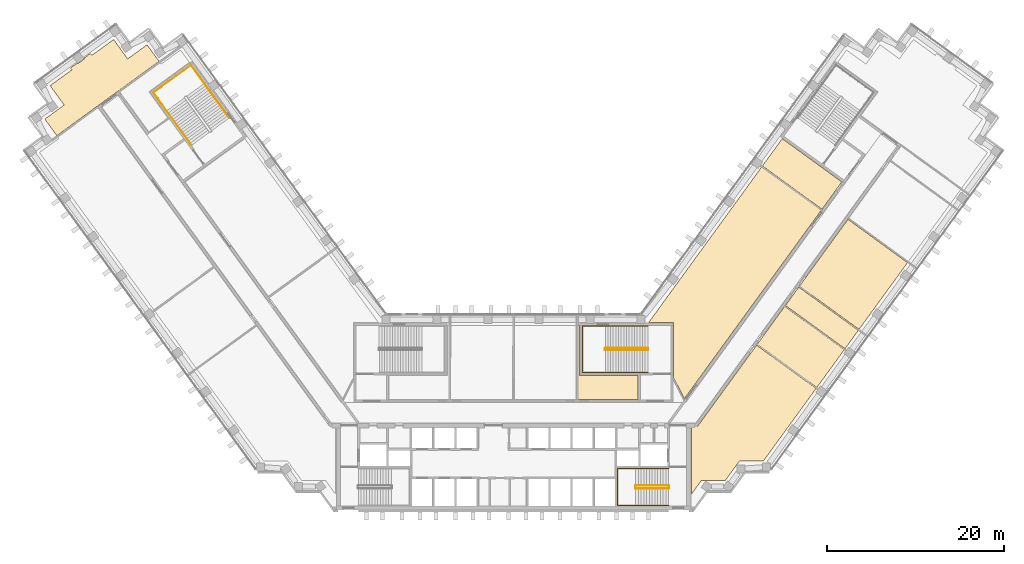
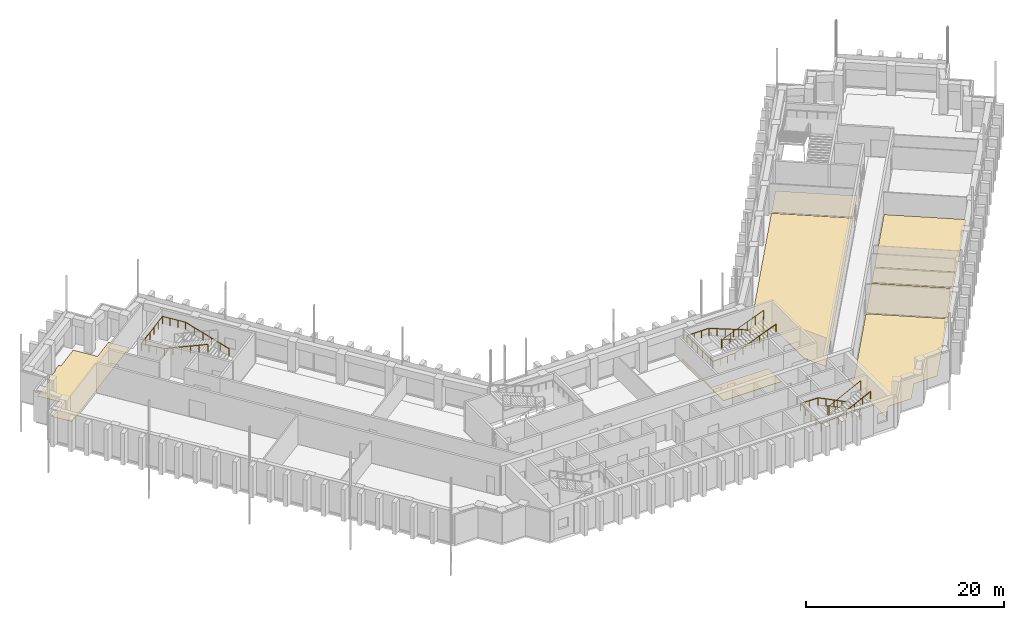
# One storey, part 17 of 18: 8 coverings, 5 railings.
"""IFC4 building model written with IfcOpenShell, lengths in metres."""

from ifc_helpers import new_model, si_unit, direction, frame, origin, origin_2d, place, context, subcontext, project, spatial, polyline, circle, outline, extrude, material, layer, layer_set, type_object, element, save


model = new_model("IFC4")

# Units and contexts
model_context = context("Model", 3, precision=1e-05, world=origin(), true_north=direction((0.0, 1.0)))
body_context = subcontext(model_context, "Body", "Model", "MODEL_VIEW")
ifc_project = project(units=[si_unit("LENGTHUNIT", "METRE"), si_unit("AREAUNIT", "SQUARE_METRE"), si_unit("VOLUMEUNIT", "CUBIC_METRE"), si_unit("PLANEANGLEUNIT", "RADIAN"), si_unit("MASSUNIT", "GRAM", prefix="KILO")], contexts=[model_context])

# Site, building, storey
site_placement = place(None, origin())
site = spatial("IfcSite", under=ifc_project, at=site_placement, CompositionType="ELEMENT")
building_placement = place(site_placement, origin())
building = spatial("IfcBuilding", under=site, at=building_placement, Name="Quipu Civic Tower", CompositionType="ELEMENT")
storey_placement = place(building_placement, frame((0.0, 0.0, 71.0)))
storey = spatial("IfcBuildingStorey", under=building, at=storey_placement, Name="L16", CompositionType="ELEMENT", Elevation=71.0)

# Coverings
ifc_material_1 = material(Name="Carpet tile on raised access floor")
ifc_layer_1 = layer(ifc_material_1, 0.02001953125)
ifc_layer_set_1 = layer_set([ifc_layer_1], Name="Carpet tile on raised access floor")
covering_type_1 = type_object("IfcCoveringType", Name="Carpet tile floor finish 20", PredefinedType="FLOORING", material=ifc_layer_set_1)
covering_1_placement = place(storey_placement, origin())
element("IfcCovering", 1, at=covering_1_placement, inside=storey, type_object=covering_type_1, Name="Carpet tile floor finish 20", PredefinedType="FLOORING", context=body_context, shape_type="SweptSolid", body=[
    extrude(outline(polyline([(27.4990234375, 7.73388671875), (30.590087890625, 11.989990234375), (37.31298828125, 7.10595703125), (34.221923828125, 2.85107421875), (27.4990234375, 7.73388671875)])), origin(), (0.0, 0.0, 1.0), 0.02001953125),
])
covering_2_placement = place(storey_placement, origin())
element("IfcCovering", 2, at=covering_2_placement, inside=storey, type_object=covering_type_1, Name="Carpet tile floor finish 20", PredefinedType="FLOORING", context=body_context, shape_type="SweptSolid", body=[
    extrude(outline(polyline([(15.238037109375, 10.169921875), (27.99609375, 27.72998046875), (34.719970703125, 22.845947265625), (19.27197265625, 1.583984375), (18.070068359375, 3.94189453125), (18.070068359375, 10.1689453125), (15.238037109375, 10.169921875)])), origin(), (0.0, 0.0, 1.0), 0.02001953125),
])
covering_3_placement = place(storey_placement, origin())
element("IfcCovering", 3, at=covering_3_placement, inside=storey, type_object=covering_type_1, Name="Carpet tile floor finish 20", PredefinedType="FLOORING", context=body_context, shape_type="SweptSolid", body=[
    extrude(outline(polyline([(-52.883056640625, 33.12890625), (-50.698974609375, 34.717041015625), (-52.284912109375, 36.90087890625), (-49.826904296875, 38.68603515625), (-49.97900390625, 38.89697265625), (-49.259033203125, 39.4208984375), (-49.236083984375, 39.388916015625), (-49.23291015625, 39.385009765625), (-49.22900390625, 39.382080078125), (-49.22607421875, 39.3779296875), (-49.220947265625, 39.3759765625), (-49.217041015625, 39.373046875), (-49.212890625, 39.37109375), (-49.2080078125, 39.3701171875), (-49.202880859375, 39.368896484375), (-49.197998046875, 39.367919921875), (-49.193115234375, 39.367919921875), (-49.18896484375, 39.368896484375), (-49.18408203125, 39.3701171875), (-49.178955078125, 39.37109375), (-49.174072265625, 39.373046875), (-49.169921875, 39.375), (-49.166015625, 39.3779296875), (-48.43798828125, 39.906982421875), (-48.43408203125, 39.909912109375), (-48.430908203125, 39.9130859375), (-48.427001953125, 39.9169921875), (-48.425048828125, 39.9208984375), (-48.422119140625, 39.926025390625), (-48.419921875, 39.929931640625), (-48.4189453125, 39.93505859375), (-48.41796875, 39.93994140625), (-48.4169921875, 39.944091796875), (-48.4169921875, 39.948974609375), (-48.41796875, 39.9541015625), (-48.4189453125, 39.958984375), (-48.419921875, 39.964111328125), (-48.422119140625, 39.968017578125), (-48.424072265625, 39.972900390625), (-48.427001953125, 39.97705078125), (-48.449951171875, 40.008056640625), (-47.72900390625, 40.531982421875), (-47.574951171875, 40.322021484375), (-45.116943359375, 42.10791015625), (-43.531982421875, 39.925048828125), (-41.346923828125, 41.510986328125), (-39.989013671875, 39.64208984375), (-51.52587890625, 31.260009765625), (-52.883056640625, 33.12890625)])), origin(), (0.0, 0.0, 1.0), 0.02001953125),
])
covering_4_placement = place(storey_placement, origin())
element("IfcCovering", 4, at=covering_4_placement, inside=storey, type_object=covering_type_1, Name="Carpet tile floor finish 20", PredefinedType="FLOORING", context=body_context, shape_type="SweptSolid", body=[
    extrude(outline(polyline([(20.070068359375, -9.195068359375), (20.070068359375, -1.52001953125), (20.77490234375, -1.51904296875), (27.416015625, 7.62109375), (34.138916015625, 2.738037109375), (28.181884765625, -5.4609375), (25.48193359375, -5.4619140625), (25.2080078125, -5.840087890625), (25.205078125, -5.841064453125), (25.200927734375, -5.843017578125), (25.197021484375, -5.844970703125), (25.193115234375, -5.847900390625), (25.18896484375, -5.85205078125), (25.18603515625, -5.85498046875), (25.18310546875, -5.85888671875), (25.179931640625, -5.863037109375), (25.177978515625, -5.867919921875), (25.177001953125, -5.8720703125), (25.175048828125, -5.876953125), (25.175048828125, -5.882080078125), (25.174072265625, -5.885986328125), (23.89501953125, -7.64599609375), (21.721923828125, -7.64599609375), (21.721923828125, -7.64599609375), (21.718017578125, -7.64306640625), (21.712890625, -7.64111328125), (21.708984375, -7.638916015625), (21.7041015625, -7.637939453125), (21.698974609375, -7.636962890625), (21.694091796875, -7.635986328125), (21.68896484375, -7.636962890625), (21.68408203125, -7.636962890625), (21.679931640625, -7.637939453125), (21.675048828125, -7.639892578125), (21.669921875, -7.64111328125), (21.666015625, -7.64404296875), (21.6630859375, -7.64599609375), (21.196044921875, -7.64599609375), (20.070068359375, -9.195068359375)])), origin(), (0.0, 0.0, 1.0), 0.02001953125),
])
ifc_material_2 = material(Name="Ceramic floor tile")
ifc_layer_2 = layer(ifc_material_2, 0.030029296875)
ifc_layer_set_2 = layer_set([ifc_layer_2], Name="Ceramic floor tile")
covering_type_2 = type_object("IfcCoveringType", Name="Ceramic tile floor finish 30", PredefinedType="FLOORING", material=ifc_layer_set_2)
covering_5_placement = place(storey_placement, origin())
element("IfcCovering", 5, at=covering_5_placement, inside=storey, type_object=covering_type_2, Name="Ceramic tile floor finish 30", PredefinedType="FLOORING", context=body_context, shape_type="SweptSolid", body=[
    extrude(outline(polyline([(32.260009765625, 14.287109375), (37.73095703125, 21.820068359375), (44.455078125, 16.93603515625), (38.98291015625, 9.404052734375), (32.260009765625, 14.287109375)])), origin(), (0.0, 0.0, 1.0), 0.030029296875),
])
covering_6_placement = place(storey_placement, origin())
element("IfcCovering", 6, at=covering_6_placement, inside=storey, type_object=covering_type_2, Name="Ceramic tile floor finish 30", PredefinedType="FLOORING", context=body_context, shape_type="SweptSolid", body=[
    extrude(outline(polyline([(28.0791015625, 27.843017578125), (30.31494140625, 30.922119140625), (37.0380859375, 26.0380859375), (34.802001953125, 22.958984375), (28.0791015625, 27.843017578125)])), origin(), (0.0, 0.0, 1.0), 0.030029296875),
])
covering_7_placement = place(storey_placement, origin())
element("IfcCovering", 7, at=covering_7_placement, inside=storey, type_object=covering_type_2, Name="Ceramic tile floor finish 30", PredefinedType="FLOORING", context=body_context, shape_type="SweptSolid", body=[
    extrude(outline(polyline([(30.673095703125, 12.10302734375), (32.177001953125, 14.174072265625), (38.89990234375, 9.291015625), (37.39599609375, 7.218994140625), (30.673095703125, 12.10302734375)])), origin(), (0.0, 0.0, 1.0), 0.030029296875),
])
ifc_material_3 = material(Name="Sealed cement screed")
ifc_layer_3 = layer(ifc_material_3, 0.050048828125)
ifc_layer_set_3 = layer_set([ifc_layer_3], Name="Sealed cement screed")
covering_type_3 = type_object("IfcCoveringType", Name="Sealed screed floor finish 50", PredefinedType="FLOORING", material=ifc_layer_set_3)
covering_8_placement = place(storey_placement, origin())
element("IfcCovering", 8, at=covering_8_placement, inside=storey, type_object=covering_type_3, Name="Sealed screed floor finish 50", PredefinedType="FLOORING", context=body_context, shape_type="SweptSolid", body=[
    extrude(outline(polyline([(7.26806640625, 1.52001953125), (7.26806640625, 9.830078125), (7.429931640625, 9.830078125), (7.429931640625, 4.180908203125), (14.030029296875, 4.179931640625), (14.030029296875, 1.52001953125), (7.26806640625, 1.52001953125)])), origin(), (0.0, 0.0, 1.0), 0.050048828125),
])

# Railings
ifc_material_4 = material(Name="Stainless steel", Category="steel")
railing_type_1 = type_object("IfcRailingType", Name="Stair guard 1100", PredefinedType="GUARDRAIL", material=ifc_material_4)
railing_1_placement = place(storey_placement, frame((17.5, -8.199951171875, 0.15380859375)))
element("IfcRailing", 9, at=railing_1_placement, inside=storey, type_object=railing_type_1, Name="Stair 2 guard", PredefinedType="GUARDRAIL", context=body_context, shape_type="SweptSolid", body=[
    extrude(circle(Radius=0.02392578125, at=origin_2d()), frame((0.0, 0.0, 1.076171875), z_axis=(-0.895751851347, 0.0, 0.444554407028), x_axis=(0.0, -1.0, 0.0)), (0.0, 0.0, 1.0), 4.15283203125),
    extrude(circle(Radius=0.02392578125, at=origin_2d()), frame((-3.719970703125, 0.0, 2.92236328125), z_axis=(-0.707106781187, -0.707106781187, 0.0), x_axis=(0.707106781187, -0.707106781187, 0.0)), (0.0, 0.0, 1.0), 0.07080078125),
    extrude(circle(Radius=0.02392578125, at=origin_2d()), frame((-3.77001953125, -0.050048828125, 2.92236328125), z_axis=(0.0, -1.0, 0.0), x_axis=(1.0, 0.0, 0.0)), (0.0, 0.0, 1.0), 0.25),
    extrude(circle(Radius=0.02392578125, at=origin_2d()), frame((-3.77001953125, -0.300048828125, 2.92236328125), z_axis=(0.295599637079, -0.295599637079, 0.908428152975), x_axis=(0.707106781187, 0.707106781187, 0.0)), (0.0, 0.0, 1.0), 0.16943359375),
    extrude(circle(Radius=0.02392578125, at=origin_2d()), frame((-3.719970703125, -0.35009765625, 3.076171875), z_axis=(0.895751851347, 0.0, 0.444554407028), x_axis=(0.0, 1.0, 0.0)), (0.0, 0.0, 1.0), 4.15283203125),
    extrude(circle(Radius=0.02392578125, at=origin_2d()), frame((0.0, -0.35009765625, 4.92236328125), z_axis=(0.012476181752, 0.074796231092, -0.997120789425), x_axis=(-0.986372223864, 0.164529134168, 0.0)), (0.0, 0.0, 1.0), 4.011474609375),
    extrude(circle(Radius=0.02392578125, at=origin_2d()), frame((0.050048828125, -0.050048828125, 0.92236328125), z_axis=(0.0, -1.0, 0.0), x_axis=(1.0, 0.0, 0.0)), (0.0, 0.0, 1.0), 0.25),
    extrude(circle(Radius=0.02099609375, at=origin_2d()), origin(), (0.0, 0.0, 1.0), 1.052001953125),
    extrude(circle(Radius=0.02099609375, at=origin_2d()), frame((-0.929931640625, 0.0, 0.46142578125)), (0.0, 0.0, 1.0), 1.052001953125),
    extrude(circle(Radius=0.02099609375, at=origin_2d()), frame((-1.85986328125, 0.0, 0.923095703125)), (0.0, 0.0, 1.0), 1.052001953125),
    extrude(circle(Radius=0.02099609375, at=origin_2d()), frame((-2.7900390625, 0.0, 1.384765625)), (0.0, 0.0, 1.0), 1.052001953125),
    extrude(circle(Radius=0.02099609375, at=origin_2d()), frame((-3.719970703125, 0.0, 1.84619140625)), (0.0, 0.0, 1.0), 1.052001953125),
    extrude(circle(Radius=0.02099609375, at=origin_2d()), frame((-3.77001953125, -0.050048828125, 1.84619140625)), (0.0, 0.0, 1.0), 1.052001953125),
    extrude(circle(Radius=0.02099609375, at=origin_2d()), frame((-3.77001953125, -0.300048828125, 1.84619140625)), (0.0, 0.0, 1.0), 1.052001953125),
    extrude(circle(Radius=0.02099609375, at=origin_2d()), frame((-3.719970703125, -0.35009765625, 2.0)), (0.0, 0.0, 1.0), 1.052001953125),
    extrude(circle(Radius=0.02099609375, at=origin_2d()), frame((-2.7900390625, -0.35009765625, 2.46142578125)), (0.0, 0.0, 1.0), 1.052001953125),
    extrude(circle(Radius=0.02099609375, at=origin_2d()), frame((-1.85986328125, -0.35009765625, 2.923095703125)), (0.0, 0.0, 1.0), 1.052001953125),
    extrude(circle(Radius=0.02099609375, at=origin_2d()), frame((-0.929931640625, -0.35009765625, 3.384765625)), (0.0, 0.0, 1.0), 1.052001953125),
    extrude(circle(Radius=0.02099609375, at=origin_2d()), frame((0.0, -0.35009765625, 3.84619140625)), (0.0, 0.0, 1.0), 1.052001953125),
    extrude(circle(Radius=0.02099609375, at=origin_2d()), frame((0.012451171875, -0.275146484375, 2.84619140625)), (0.0, 0.0, 1.0), 1.052001953125),
    extrude(circle(Radius=0.02099609375, at=origin_2d()), frame((0.02490234375, -0.2001953125, 1.84619140625)), (0.0, 0.0, 1.0), 1.052001953125),
    extrude(circle(Radius=0.02099609375, at=origin_2d()), frame((0.03759765625, -0.125, 0.84619140625)), (0.0, 0.0, 1.0), 1.052001953125),
    extrude(circle(Radius=0.02099609375, at=origin_2d()), frame((0.050048828125, -0.050048828125, -0.15380859375)), (0.0, 0.0, 1.0), 1.052001953125),
    extrude(circle(Radius=0.02099609375, at=origin_2d()), frame((0.050048828125, -0.300048828125, -0.15380859375)), (0.0, 0.0, 1.0), 1.052001953125),
])
railing_2_placement = place(storey_placement, frame((15.14990234375, 7.300048828125, 0.11767578125)))
element("IfcRailing", 10, at=railing_2_placement, inside=storey, type_object=railing_type_1, Name="Stair 4 guard", PredefinedType="GUARDRAIL", context=body_context, shape_type="SweptSolid", body=[
    extrude(circle(Radius=0.02392578125, at=origin_2d()), frame((0.0, 0.0, 1.076171875), z_axis=(-0.930970042603, 0.0, 0.365095576219), x_axis=(0.0, -1.0, 0.0)), (0.0, 0.0, 1.0), 5.15576171875),
    extrude(circle(Radius=0.02392578125, at=origin_2d()), frame((-4.7998046875, 0.0, 2.95849609375), z_axis=(-0.707106781187, -0.707106781187, 0.0), x_axis=(0.707106781187, -0.707106781187, 0.0)), (0.0, 0.0, 1.0), 0.07080078125),
    extrude(circle(Radius=0.02392578125, at=origin_2d()), frame((-4.849853515625, -0.050048828125, 2.95849609375), z_axis=(0.0, -1.0, 0.0), x_axis=(1.0, 0.0, 0.0)), (0.0, 0.0, 1.0), 0.14990234375),
    extrude(circle(Radius=0.02392578125, at=origin_2d()), frame((-4.849853515625, -0.199951171875, 2.95849609375), z_axis=(0.364463019033, -0.364463019033, 0.856932561824), x_axis=(0.707106781187, 0.707106781187, 0.0)), (0.0, 0.0, 1.0), 0.13720703125),
    extrude(circle(Radius=0.02392578125, at=origin_2d()), frame((-4.7998046875, -0.25, 3.076171875), z_axis=(0.930970042603, 0.0, 0.365095576219), x_axis=(0.0, 1.0, 0.0)), (0.0, 0.0, 1.0), 5.15576171875),
    extrude(circle(Radius=0.02392578125, at=origin_2d()), frame((0.0, -0.25, 4.95849609375), z_axis=(0.012495627992, 0.049921557685, -0.998674970829), x_axis=(-0.970072785993, 0.242814311512, 0.0)), (0.0, 0.0, 1.0), 4.00537109375),
    extrude(circle(Radius=0.02392578125, at=origin_2d()), frame((0.050048828125, -0.050048828125, 0.95849609375), z_axis=(0.0, -1.0, 0.0), x_axis=(1.0, 0.0, 0.0)), (0.0, 0.0, 1.0), 0.14990234375),
    extrude(circle(Radius=0.02099609375, at=origin_2d()), origin(), (0.0, 0.0, 1.0), 1.052001953125),
    extrude(circle(Radius=0.02099609375, at=origin_2d()), frame((-0.9599609375, 0.0, 0.37646484375)), (0.0, 0.0, 1.0), 1.052001953125),
    extrude(circle(Radius=0.02099609375, at=origin_2d()), frame((-1.919921875, 0.0, 0.7529296875)), (0.0, 0.0, 1.0), 1.052001953125),
    extrude(circle(Radius=0.02099609375, at=origin_2d()), frame((-2.8798828125, 0.0, 1.12939453125)), (0.0, 0.0, 1.0), 1.052001953125),
    extrude(circle(Radius=0.02099609375, at=origin_2d()), frame((-3.83984375, 0.0, 1.505859375)), (0.0, 0.0, 1.0), 1.052001953125),
    extrude(circle(Radius=0.02099609375, at=origin_2d()), frame((-4.7998046875, 0.0, 1.88232421875)), (0.0, 0.0, 1.0), 1.052001953125),
    extrude(circle(Radius=0.02099609375, at=origin_2d()), frame((-4.849853515625, -0.050048828125, 1.88232421875)), (0.0, 0.0, 1.0), 1.052001953125),
    extrude(circle(Radius=0.02099609375, at=origin_2d()), frame((-4.849853515625, -0.199951171875, 1.88232421875)), (0.0, 0.0, 1.0), 1.052001953125),
    extrude(circle(Radius=0.02099609375, at=origin_2d()), frame((-4.7998046875, -0.25, 2.0)), (0.0, 0.0, 1.0), 1.052001953125),
    extrude(circle(Radius=0.02099609375, at=origin_2d()), frame((-3.83984375, -0.25, 2.37646484375)), (0.0, 0.0, 1.0), 1.052001953125),
    extrude(circle(Radius=0.02099609375, at=origin_2d()), frame((-2.8798828125, -0.25, 2.7529296875)), (0.0, 0.0, 1.0), 1.052001953125),
    extrude(circle(Radius=0.02099609375, at=origin_2d()), frame((-1.919921875, -0.25, 3.12939453125)), (0.0, 0.0, 1.0), 1.052001953125),
    extrude(circle(Radius=0.02099609375, at=origin_2d()), frame((-0.9599609375, -0.25, 3.505859375)), (0.0, 0.0, 1.0), 1.052001953125),
    extrude(circle(Radius=0.02099609375, at=origin_2d()), frame((0.0, -0.25, 3.88232421875)), (0.0, 0.0, 1.0), 1.052001953125),
    extrude(circle(Radius=0.02099609375, at=origin_2d()), frame((0.012451171875, -0.199951171875, 2.88232421875)), (0.0, 0.0, 1.0), 1.052001953125),
    extrude(circle(Radius=0.02099609375, at=origin_2d()), frame((0.02490234375, -0.14990234375, 1.88232421875)), (0.0, 0.0, 1.0), 1.052001953125),
    extrude(circle(Radius=0.02099609375, at=origin_2d()), frame((0.03759765625, -0.10009765625, 0.88232421875)), (0.0, 0.0, 1.0), 1.052001953125),
    extrude(circle(Radius=0.02099609375, at=origin_2d()), frame((0.050048828125, -0.050048828125, -0.11767578125)), (0.0, 0.0, 1.0), 1.052001953125),
    extrude(circle(Radius=0.02099609375, at=origin_2d()), frame((0.050048828125, -0.199951171875, -0.11767578125)), (0.0, 0.0, 1.0), 1.052001953125),
])
ifc_material_5 = material(Name="Stainless steel", Category="steel")
railing_type_2 = type_object("IfcRailingType", Name="Stair handrail", PredefinedType="HANDRAIL", material=ifc_material_5)
railing_3_placement = place(storey_placement, frame((17.5, -6.300048828125, 0.15380859375)))
element("IfcRailing", 11, at=railing_3_placement, inside=storey, type_object=railing_type_2, Name="Stair 2 handrail", PredefinedType="HANDRAIL", context=body_context, shape_type="SweptSolid", body=[
    extrude(circle(Radius=0.02392578125, at=origin_2d()), frame((0.0, 0.0, 0.8759765625), z_axis=(-0.895751851347, 0.0, 0.444554407028), x_axis=(0.0, -1.0, 0.0)), (0.0, 0.0, 1.0), 4.15283203125),
    extrude(circle(Radius=0.02392578125, at=origin_2d()), frame((-3.719970703125, 0.0, 2.72216796875), z_axis=(-1.0, 0.0, 0.0), x_axis=(0.0, -1.0, 0.0)), (0.0, 0.0, 1.0), 2.030029296875),
    extrude(circle(Radius=0.02392578125, at=origin_2d()), frame((-5.75, 0.0, 2.72216796875), z_axis=(0.0, -1.0, 0.0), x_axis=(1.0, 0.0, 0.0)), (0.0, 0.0, 1.0), 4.14990234375),
    extrude(circle(Radius=0.02392578125, at=origin_2d()), frame((-5.75, -4.14990234375, 2.72216796875), z_axis=(0.997142003663, 0.0, 0.075550145798), x_axis=(0.0, 1.0, 0.0)), (0.0, 0.0, 1.0), 2.035888671875),
    extrude(circle(Radius=0.02392578125, at=origin_2d()), frame((-3.719970703125, -4.14990234375, 2.8759765625), z_axis=(0.895751851347, 0.0, 0.444554407028), x_axis=(0.0, 1.0, 0.0)), (0.0, 0.0, 1.0), 4.15283203125),
    extrude(circle(Radius=0.02099609375, at=origin_2d()), origin(), (0.0, 0.0, 1.0), 0.851806640625),
    extrude(circle(Radius=0.02099609375, at=origin_2d()), frame((-0.929931640625, 0.0, 0.46142578125)), (0.0, 0.0, 1.0), 0.851806640625),
    extrude(circle(Radius=0.02099609375, at=origin_2d()), frame((-1.85986328125, 0.0, 0.923095703125)), (0.0, 0.0, 1.0), 0.851806640625),
    extrude(circle(Radius=0.02099609375, at=origin_2d()), frame((-2.7900390625, 0.0, 1.384765625)), (0.0, 0.0, 1.0), 0.851806640625),
    extrude(circle(Radius=0.02099609375, at=origin_2d()), frame((-3.719970703125, 0.0, 1.84619140625)), (0.0, 0.0, 1.0), 0.851806640625),
    extrude(circle(Radius=0.02099609375, at=origin_2d()), frame((-4.73486328125, 0.0, 1.84619140625)), (0.0, 0.0, 1.0), 0.851806640625),
    extrude(circle(Radius=0.02099609375, at=origin_2d()), frame((-5.75, 0.0, 1.84619140625)), (0.0, 0.0, 1.0), 0.851806640625),
    extrude(circle(Radius=0.02099609375, at=origin_2d()), frame((-5.75, -1.03759765625, 1.84619140625)), (0.0, 0.0, 1.0), 0.851806640625),
    extrude(circle(Radius=0.02099609375, at=origin_2d()), frame((-5.75, -2.074951171875, 1.84619140625)), (0.0, 0.0, 1.0), 0.851806640625),
    extrude(circle(Radius=0.02099609375, at=origin_2d()), frame((-5.75, -3.1123046875, 1.84619140625)), (0.0, 0.0, 1.0), 0.851806640625),
    extrude(circle(Radius=0.02099609375, at=origin_2d()), frame((-5.75, -4.14990234375, 1.84619140625)), (0.0, 0.0, 1.0), 0.851806640625),
    extrude(circle(Radius=0.02099609375, at=origin_2d()), frame((-4.73486328125, -4.14990234375, 1.923095703125)), (0.0, 0.0, 1.0), 0.851806640625),
    extrude(circle(Radius=0.02099609375, at=origin_2d()), frame((-3.719970703125, -4.14990234375, 2.0)), (0.0, 0.0, 1.0), 0.851806640625),
    extrude(circle(Radius=0.02099609375, at=origin_2d()), frame((-2.7900390625, -4.14990234375, 2.46142578125)), (0.0, 0.0, 1.0), 0.851806640625),
    extrude(circle(Radius=0.02099609375, at=origin_2d()), frame((-1.85986328125, -4.14990234375, 2.923095703125)), (0.0, 0.0, 1.0), 0.851806640625),
    extrude(circle(Radius=0.02099609375, at=origin_2d()), frame((-0.929931640625, -4.14990234375, 3.384765625)), (0.0, 0.0, 1.0), 0.851806640625),
    extrude(circle(Radius=0.02099609375, at=origin_2d()), frame((0.0, -4.14990234375, 3.84619140625)), (0.0, 0.0, 1.0), 0.851806640625),
])
railing_4_placement = place(storey_placement, frame((15.14990234375, 9.800048828125, 0.11767578125)))
element("IfcRailing", 12, at=railing_4_placement, inside=storey, type_object=railing_type_2, Name="Stair 4 handrail", PredefinedType="HANDRAIL", context=body_context, shape_type="SweptSolid", body=[
    extrude(circle(Radius=0.02392578125, at=origin_2d()), frame((0.0, 0.0, 0.8759765625), z_axis=(-0.930970042603, 0.0, 0.365095576219), x_axis=(0.0, -1.0, 0.0)), (0.0, 0.0, 1.0), 5.15576171875),
    extrude(circle(Radius=0.02392578125, at=origin_2d()), frame((-4.7998046875, 0.0, 2.75830078125), z_axis=(-1.0, 0.0, 0.0), x_axis=(0.0, -1.0, 0.0)), (0.0, 0.0, 1.0), 2.550048828125),
    extrude(circle(Radius=0.02392578125, at=origin_2d()), frame((-7.349853515625, 0.0, 2.75830078125), z_axis=(0.0, -1.0, 0.0), x_axis=(1.0, 0.0, 0.0)), (0.0, 0.0, 1.0), 5.25),
    extrude(circle(Radius=0.02392578125, at=origin_2d()), frame((-7.349853515625, -5.25, 2.75830078125), z_axis=(0.998936948642, 0.0, 0.04609742549), x_axis=(0.0, 1.0, 0.0)), (0.0, 0.0, 1.0), 2.552734375),
    extrude(circle(Radius=0.02392578125, at=origin_2d()), frame((-4.7998046875, -5.25, 2.8759765625), z_axis=(0.930970042603, 0.0, 0.365095576219), x_axis=(0.0, 1.0, 0.0)), (0.0, 0.0, 1.0), 5.15576171875),
    extrude(circle(Radius=0.02099609375, at=origin_2d()), origin(), (0.0, 0.0, 1.0), 0.851806640625),
    extrude(circle(Radius=0.02099609375, at=origin_2d()), frame((-0.9599609375, 0.0, 0.37646484375)), (0.0, 0.0, 1.0), 0.851806640625),
    extrude(circle(Radius=0.02099609375, at=origin_2d()), frame((-1.919921875, 0.0, 0.7529296875)), (0.0, 0.0, 1.0), 0.851806640625),
    extrude(circle(Radius=0.02099609375, at=origin_2d()), frame((-2.8798828125, 0.0, 1.12939453125)), (0.0, 0.0, 1.0), 0.851806640625),
    extrude(circle(Radius=0.02099609375, at=origin_2d()), frame((-3.83984375, 0.0, 1.505859375)), (0.0, 0.0, 1.0), 0.851806640625),
    extrude(circle(Radius=0.02099609375, at=origin_2d()), frame((-4.7998046875, 0.0, 1.88232421875)), (0.0, 0.0, 1.0), 0.851806640625),
    extrude(circle(Radius=0.02099609375, at=origin_2d()), frame((-5.64990234375, 0.0, 1.88232421875)), (0.0, 0.0, 1.0), 0.851806640625),
    extrude(circle(Radius=0.02099609375, at=origin_2d()), frame((-6.499755859375, 0.0, 1.88232421875)), (0.0, 0.0, 1.0), 0.851806640625),
    extrude(circle(Radius=0.02099609375, at=origin_2d()), frame((-7.349853515625, 0.0, 1.88232421875)), (0.0, 0.0, 1.0), 0.851806640625),
    extrude(circle(Radius=0.02099609375, at=origin_2d()), frame((-7.349853515625, -1.050048828125, 1.88232421875)), (0.0, 0.0, 1.0), 0.851806640625),
    extrude(circle(Radius=0.02099609375, at=origin_2d()), frame((-7.349853515625, -2.10009765625, 1.88232421875)), (0.0, 0.0, 1.0), 0.851806640625),
    extrude(circle(Radius=0.02099609375, at=origin_2d()), frame((-7.349853515625, -3.14990234375, 1.88232421875)), (0.0, 0.0, 1.0), 0.851806640625),
    extrude(circle(Radius=0.02099609375, at=origin_2d()), frame((-7.349853515625, -4.199951171875, 1.88232421875)), (0.0, 0.0, 1.0), 0.851806640625),
    extrude(circle(Radius=0.02099609375, at=origin_2d()), frame((-7.349853515625, -5.25, 1.88232421875)), (0.0, 0.0, 1.0), 0.851806640625),
    extrude(circle(Radius=0.02099609375, at=origin_2d()), frame((-6.499755859375, -5.25, 1.921630859375)), (0.0, 0.0, 1.0), 0.851806640625),
    extrude(circle(Radius=0.02099609375, at=origin_2d()), frame((-5.64990234375, -5.25, 1.960693359375)), (0.0, 0.0, 1.0), 0.851806640625),
    extrude(circle(Radius=0.02099609375, at=origin_2d()), frame((-4.7998046875, -5.25, 2.0)), (0.0, 0.0, 1.0), 0.851806640625),
    extrude(circle(Radius=0.02099609375, at=origin_2d()), frame((-3.83984375, -5.25, 2.37646484375)), (0.0, 0.0, 1.0), 0.851806640625),
    extrude(circle(Radius=0.02099609375, at=origin_2d()), frame((-2.8798828125, -5.25, 2.7529296875)), (0.0, 0.0, 1.0), 0.851806640625),
    extrude(circle(Radius=0.02099609375, at=origin_2d()), frame((-1.919921875, -5.25, 3.12939453125)), (0.0, 0.0, 1.0), 0.851806640625),
    extrude(circle(Radius=0.02099609375, at=origin_2d()), frame((-0.9599609375, -5.25, 3.505859375)), (0.0, 0.0, 1.0), 0.851806640625),
    extrude(circle(Radius=0.02099609375, at=origin_2d()), frame((0.0, -5.25, 3.88232421875)), (0.0, 0.0, 1.0), 0.851806640625),
])
railing_5_placement = place(storey_placement, frame((-32.056396484375, 33.266845703125, 0.11767578125)))
element("IfcRailing", 13, at=railing_5_placement, inside=storey, type_object=railing_type_2, Name="Stair 6 handrail", PredefinedType="HANDRAIL", context=body_context, shape_type="SweptSolid", body=[
    extrude(circle(Radius=0.02392578125, at=origin_2d()), frame((0.0, 0.0, 0.8759765625), z_axis=(-0.54720100349, 0.753182689643, 0.365084781664), x_axis=(-0.809026317077, -0.587772420479, 0.0)), (0.0, 0.0, 1.0), 5.15576171875),
    extrude(circle(Radius=0.02392578125, at=origin_2d()), frame((-2.8212890625, 3.88330078125, 2.75830078125), z_axis=(-0.587767432704, 0.809029940764, 0.0), x_axis=(-0.809029940764, -0.587767432704, 0.0)), (0.0, 0.0, 1.0), 2.550048828125),
    extrude(circle(Radius=0.02392578125, at=origin_2d()), frame((-4.320068359375, 5.9462890625, 2.75830078125), z_axis=(-0.809009483706, -0.587795589702, 0.0), x_axis=(0.587795589702, -0.809009483706, 0.0)), (0.0, 0.0, 1.0), 5.25),
    extrude(circle(Radius=0.02392578125, at=origin_2d()), frame((-8.5673828125, 2.8603515625, 2.75830078125), z_axis=(0.587142558822, -0.808169835812, 0.046099155132), x_axis=(0.809029940764, 0.587767432704, 0.0)), (0.0, 0.0, 1.0), 2.552734375),
    extrude(circle(Radius=0.02392578125, at=origin_2d()), frame((-7.068603515625, 0.79736328125, 2.8759765625), z_axis=(0.54720100349, -0.753182689643, 0.365084781664), x_axis=(0.809026317077, 0.587772420479, 0.0)), (0.0, 0.0, 1.0), 5.15576171875),
    extrude(circle(Radius=0.02099609375, at=origin_2d()), origin(), (0.0, 0.0, 1.0), 0.851806640625),
    extrude(circle(Radius=0.02099609375, at=origin_2d()), frame((-0.564208984375, 0.776611328125, 0.37646484375)), (0.0, 0.0, 1.0), 0.851806640625),
    extrude(circle(Radius=0.02099609375, at=origin_2d()), frame((-1.12841796875, 1.55322265625, 0.7529296875)), (0.0, 0.0, 1.0), 0.851806640625),
    extrude(circle(Radius=0.02099609375, at=origin_2d()), frame((-1.69287109375, 2.330078125, 1.12939453125)), (0.0, 0.0, 1.0), 0.851806640625),
    extrude(circle(Radius=0.02099609375, at=origin_2d()), frame((-2.257080078125, 3.106689453125, 1.505859375)), (0.0, 0.0, 1.0), 0.851806640625),
    extrude(circle(Radius=0.02099609375, at=origin_2d()), frame((-2.8212890625, 3.88330078125, 1.88232421875)), (0.0, 0.0, 1.0), 0.851806640625),
    extrude(circle(Radius=0.02099609375, at=origin_2d()), frame((-3.32080078125, 4.571044921875, 1.88232421875)), (0.0, 0.0, 1.0), 0.851806640625),
    extrude(circle(Radius=0.02099609375, at=origin_2d()), frame((-3.820556640625, 5.258544921875, 1.88232421875)), (0.0, 0.0, 1.0), 0.851806640625),
    extrude(circle(Radius=0.02099609375, at=origin_2d()), frame((-4.320068359375, 5.9462890625, 1.88232421875)), (0.0, 0.0, 1.0), 0.851806640625),
    extrude(circle(Radius=0.02099609375, at=origin_2d()), frame((-5.16943359375, 5.3291015625, 1.88232421875)), (0.0, 0.0, 1.0), 0.851806640625),
    extrude(circle(Radius=0.02099609375, at=origin_2d()), frame((-6.01904296875, 4.7119140625, 1.88232421875)), (0.0, 0.0, 1.0), 0.851806640625),
    extrude(circle(Radius=0.02099609375, at=origin_2d()), frame((-6.868408203125, 4.0947265625, 1.88232421875)), (0.0, 0.0, 1.0), 0.851806640625),
    extrude(circle(Radius=0.02099609375, at=origin_2d()), frame((-7.718017578125, 3.4775390625, 1.88232421875)), (0.0, 0.0, 1.0), 0.851806640625),
    extrude(circle(Radius=0.02099609375, at=origin_2d()), frame((-8.5673828125, 2.8603515625, 1.88232421875)), (0.0, 0.0, 1.0), 0.851806640625),
    extrude(circle(Radius=0.02099609375, at=origin_2d()), frame((-8.06787109375, 2.172607421875, 1.921630859375)), (0.0, 0.0, 1.0), 0.851806640625),
    extrude(circle(Radius=0.02099609375, at=origin_2d()), frame((-7.568115234375, 1.485107421875, 1.960693359375)), (0.0, 0.0, 1.0), 0.851806640625),
    extrude(circle(Radius=0.02099609375, at=origin_2d()), frame((-7.068603515625, 0.79736328125, 2.0)), (0.0, 0.0, 1.0), 0.851806640625),
    extrude(circle(Radius=0.02099609375, at=origin_2d()), frame((-6.50439453125, 0.020751953125, 2.37646484375)), (0.0, 0.0, 1.0), 0.851806640625),
    extrude(circle(Radius=0.02099609375, at=origin_2d()), frame((-5.940185546875, -0.755859375, 2.7529296875)), (0.0, 0.0, 1.0), 0.851806640625),
    extrude(circle(Radius=0.02099609375, at=origin_2d()), frame((-5.375732421875, -1.53271484375, 3.12939453125)), (0.0, 0.0, 1.0), 0.851806640625),
    extrude(circle(Radius=0.02099609375, at=origin_2d()), frame((-4.8115234375, -2.309326171875, 3.505859375)), (0.0, 0.0, 1.0), 0.851806640625),
    extrude(circle(Radius=0.02099609375, at=origin_2d()), frame((-4.247314453125, -3.0859375, 3.88232421875)), (0.0, 0.0, 1.0), 0.851806640625),
])

save(model, "model.ifc")
